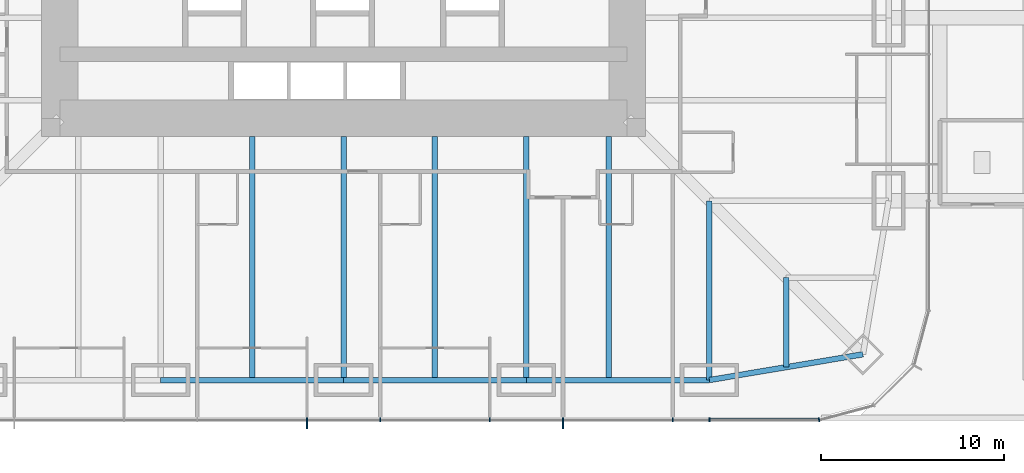
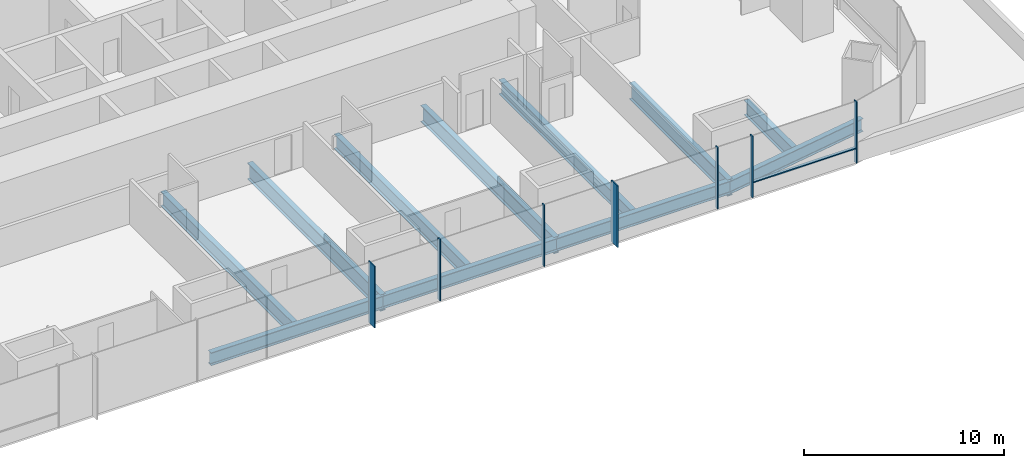
# One storey, part 4 of 20: 11 beams, 8 members, 2 elements without a shape of their own.
"""IFC4 building model written with IfcOpenShell, lengths in metres."""

from ifc_helpers import new_model, si_unit, direction, frame, origin, origin_2d, place, context, subcontext, project, spatial, rectangle, i_section, extrude, material, material_profile, profile_set, type_object, element, aggregate, save


model = new_model("IFC4")

# Units and contexts
model_context = context("Model", 3, precision=1e-05, world=origin(), true_north=direction((0.0, 1.0)))
body_context = subcontext(model_context, "Body", "Model", "MODEL_VIEW")
ifc_project = project(units=[si_unit("LENGTHUNIT", "METRE"), si_unit("AREAUNIT", "SQUARE_METRE"), si_unit("VOLUMEUNIT", "CUBIC_METRE"), si_unit("PLANEANGLEUNIT", "RADIAN"), si_unit("MASSUNIT", "GRAM", prefix="KILO")], contexts=[model_context])

# Site, building, storey
site_placement = place(None, origin())
site = spatial("IfcSite", under=ifc_project, at=site_placement, CompositionType="ELEMENT")
building_placement = place(site_placement, origin())
building = spatial("IfcBuilding", under=site, at=building_placement, Name="Khuree Lantern Residences", CompositionType="ELEMENT")
storey_placement = place(building_placement, frame((0.0, 0.0, 21.0)))
storey = spatial("IfcBuildingStorey", under=building, at=storey_placement, Name="L04", CompositionType="ELEMENT", Elevation=21.0)

# Beams
ifc_material_1 = material(Name="Steel S355", Category="steel")
ifc_material_profile_1 = material_profile(ifc_material_1, i_section(OverallWidth=0.300048828125, OverallDepth=0.889892578125, WebThickness=0.01611328125, FlangeThickness=0.030029296875, FilletRadius=0.030029296875, at=origin_2d()), Name="HE 900 A")
ifc_profile_set_1 = profile_set([ifc_material_profile_1], Name="Steel S355")
beam_type_1 = type_object("IfcBeamType", Name="B-11 SECONDARY BEAM HE 900 A", PredefinedType="BEAM", material=ifc_profile_set_1)
beam_1_placement = place(storey_placement, frame((24.197021484375, -29.09716796875, -0.695068359375), z_axis=(0.0, 1.0, 0.0), x_axis=(-1.0, 0.0, 0.0)))
element("IfcBeam", 1, at=beam_1_placement, inside=storey, type_object=beam_type_1, Name="Secondary beam S1", PredefinedType="BEAM", context=body_context, shape_type="SweptSolid", body=[
    extrude(i_section(OverallWidth=0.300048828125, OverallDepth=0.889892578125, WebThickness=0.01611328125, FlangeThickness=0.030029296875, FilletRadius=0.030029296875, at=origin_2d()), origin(), (0.0, 0.0, 1.0), 4.900146484375),
])
for number, where, z_axis, x_axis, name in (
    (2, (14.5, -29.800048828125, -0.695068359375), (0.0, 1.0, 0.0), (-1.0, 0.0, 0.0), "Secondary beam S2"),
    (3, (5.0, -29.800048828125, -0.695068359375), (0.0, 1.0, 0.0), (-1.0, 0.0, 0.0), "Secondary beam S3"),
    (4, (-5.0, -29.800048828125, -0.695068359375), (0.0, 1.0, 0.0), (-1.0, 0.0, 0.0), "Secondary beam S4"),
):
    element("IfcBeam", number, at=place(storey_placement, frame(where, z_axis=z_axis, x_axis=x_axis)), inside=storey, type_object=beam_type_1, Name=name, PredefinedType="BEAM", context=body_context, shape_type="SweptSolid", body=[
        extrude(i_section(OverallWidth=0.300048828125, OverallDepth=0.889892578125, WebThickness=0.01611328125, FlangeThickness=0.030029296875, FilletRadius=0.030029296875, at=origin_2d()), origin(), (0.0, 0.0, 1.0), 13.300048828125),
    ])
ifc_material_profile_2 = material_profile(ifc_material_1, i_section(OverallWidth=0.300048828125, OverallDepth=0.7900390625, WebThickness=0.014892578125, FlangeThickness=0.028076171875, FilletRadius=0.030029296875, at=origin_2d()), Name="HE 800 A")
ifc_profile_set_2 = profile_set([ifc_material_profile_2], Name="Steel S355")
beam_type_2 = type_object("IfcBeamType", Name="E-11 SPANDREL BEAM HE 800 A", PredefinedType="SPANDREL", material=ifc_profile_set_2)
beam_2_placement = place(storey_placement, frame((28.39404296875, -28.39404296875, -0.64501953125), z_axis=(-0.986260251158, -0.165199022349, 0.0), x_axis=(0.165199022349, -0.986260251158, 0.0)))
element("IfcBeam", 5, at=beam_2_placement, inside=storey, type_object=beam_type_2, Name="Spandrel beam S1", PredefinedType="SPANDREL", context=body_context, shape_type="SweptSolid", body=[
    extrude(i_section(OverallWidth=0.300048828125, OverallDepth=0.7900390625, WebThickness=0.014892578125, FlangeThickness=0.028076171875, FilletRadius=0.030029296875, at=origin_2d()), origin(), (0.0, 0.0, 1.0), 8.510986328125),
])
for number, where, z_axis, x_axis, name in (
    (6, (20.0, -29.800048828125, -0.64501953125), (-1.0, 0.0, 0.0), (0.0, -1.0, 0.0), "Spandrel beam S2"),
    (7, (10.0, -29.800048828125, -0.64501953125), (-1.0, 0.0, 0.0), (0.0, -1.0, 0.0), "Spandrel beam S3"),
    (8, (0.0, -29.800048828125, -0.64501953125), (-1.0, 0.0, 0.0), (0.0, -1.0, 0.0), "Spandrel beam S4"),
):
    element("IfcBeam", number, at=place(storey_placement, frame(where, z_axis=z_axis, x_axis=x_axis)), inside=storey, type_object=beam_type_2, Name=name, PredefinedType="SPANDREL", context=body_context, shape_type="SweptSolid", body=[
        extrude(i_section(OverallWidth=0.300048828125, OverallDepth=0.7900390625, WebThickness=0.014892578125, FlangeThickness=0.028076171875, FilletRadius=0.030029296875, at=origin_2d()), origin(), (0.0, 0.0, 1.0), 10.0),
    ])

# Curtain wall, members
ifc_material_2 = material(Name="Bronze anodised aluminium", Category="aluminium")
curtain_wall_type_1 = type_object("IfcCurtainWallType", Name="CW-T1 TOWER FACE CURTAIN WALL", PredefinedType="USERDEFINED", material=ifc_material_2)
curtain_wall_1_placement = place(storey_placement, origin())
curtain_wall_1 = element("IfcCurtainWall", 9, at=curtain_wall_1_placement, inside=storey, type_object=curtain_wall_type_1, Name="L04 SOUTH FACE CURTAIN WALL", ObjectType="Stick-built curtain wall", PredefinedType="USERDEFINED")
ifc_material_profile_3 = material_profile(ifc_material_2, rectangle(XDim=0.06494140625, YDim=0.60009765625, at=origin_2d()), Name="F1 65X600")
ifc_profile_set_3 = profile_set([ifc_material_profile_3], Name="Bronze anodised aluminium")
member_type_1 = type_object("IfcMemberType", Name="F1 BRONZE FIN MULLION TOWER 65X600", PredefinedType="MULLION", material=ifc_profile_set_3)
member_1_placement = place(storey_placement, frame((-2.0, -32.14990234375, 0.0), z_axis=(0.0, 0.0, 1.0), x_axis=(1.0, 0.0, 0.0)))
member_1 = element("IfcMember", 10, at=member_1_placement, type_object=member_type_1, Name="L04 SOUTH FACE FIN MULLION 51", PredefinedType="MULLION", context=body_context, shape_type="SweptSolid", body=[
    extrude(rectangle(XDim=0.06494140625, YDim=0.60009765625, at=origin_2d()), origin(), (0.0, 0.0, 1.0), 3.75),
])
member_2_placement = place(storey_placement, frame((12.0, -32.14990234375, 0.0), z_axis=(0.0, 0.0, 1.0), x_axis=(1.0, 0.0, 0.0)))
member_2 = element("IfcMember", 11, at=member_2_placement, type_object=member_type_1, Name="L04 SOUTH FACE FIN MULLION 54", PredefinedType="MULLION", context=body_context, shape_type="SweptSolid", body=[
    extrude(rectangle(XDim=0.06494140625, YDim=0.60009765625, at=origin_2d()), origin(), (0.0, 0.0, 1.0), 3.75),
])

# Beams
ifc_material_profile_4 = material_profile(ifc_material_1, i_section(OverallWidth=0.302001953125, OverallDepth=1.008056640625, WebThickness=0.02099609375, FlangeThickness=0.0400390625, FilletRadius=0.030029296875, at=origin_2d()), Name="HE 1000 M")
ifc_profile_set_4 = profile_set([ifc_material_profile_4], Name="Steel S355")
beam_type_3 = type_object("IfcBeamType", Name="G-11 GIRDER HE 1000 M", PredefinedType="BEAM", material=ifc_profile_set_4)
beam_3_placement = place(storey_placement, frame((20.0, -29.800048828125, -0.75390625), z_axis=(0.0, 1.0, 0.0), x_axis=(-1.0, 0.0, 0.0)))
element("IfcBeam", 12, at=beam_3_placement, inside=storey, type_object=beam_type_3, Name="Girder S1", PredefinedType="BEAM", context=body_context, shape_type="SweptSolid", body=[
    extrude(i_section(OverallWidth=0.302001953125, OverallDepth=1.008056640625, WebThickness=0.02099609375, FlangeThickness=0.0400390625, FilletRadius=0.030029296875, at=origin_2d()), origin(), (0.0, 0.0, 1.0), 9.800048828125),
])
for number, where, z_axis, x_axis, name in (
    (13, (10.0, -29.800048828125, -0.75390625), (0.0, 1.0, 0.0), (-1.0, 0.0, 0.0), "Girder S2"),
    (14, (0.0, -29.800048828125, -0.75390625), (0.0, 1.0, 0.0), (-1.0, 0.0, 0.0), "Girder S3"),
):
    element("IfcBeam", number, at=place(storey_placement, frame(where, z_axis=z_axis, x_axis=x_axis)), inside=storey, type_object=beam_type_3, Name=name, PredefinedType="BEAM", context=body_context, shape_type="SweptSolid", body=[
        extrude(i_section(OverallWidth=0.302001953125, OverallDepth=1.008056640625, WebThickness=0.02099609375, FlangeThickness=0.0400390625, FilletRadius=0.030029296875, at=origin_2d()), origin(), (0.0, 0.0, 1.0), 13.300048828125),
    ])

# Curtain wall, member
curtain_wall_type_2 = type_object("IfcCurtainWallType", Name="CW-T2 TOWER CORNER CURTAIN WALL", PredefinedType="USERDEFINED", material=ifc_material_2)
curtain_wall_2_placement = place(storey_placement, origin())
curtain_wall_2 = element("IfcCurtainWall", 15, at=curtain_wall_2_placement, inside=storey, type_object=curtain_wall_type_2, Name="L04 SOUTH-EAST CORNER CURTAIN WALL", ObjectType="Faceted corner curtain wall", PredefinedType="USERDEFINED")
ifc_material_profile_5 = material_profile(ifc_material_2, rectangle(XDim=0.06494140625, YDim=0.219970703125, at=origin_2d()), Name="M1 65X220")
ifc_profile_set_5 = profile_set([ifc_material_profile_5], Name="Bronze anodised aluminium")
member_type_2 = type_object("IfcMemberType", Name="M1 BRONZE MULLION TOWER 65X220", PredefinedType="MULLION", material=ifc_profile_set_5)
member_3_placement = place(storey_placement, frame((25.994873046875, -31.961669921875, 0.0), z_axis=(0.0, 0.0, 1.0), x_axis=(0.991444852794, 0.130526257387, 0.0)))
member_3 = element("IfcMember", 16, at=member_3_placement, type_object=member_type_2, Name="L04 SOUTH-EAST CORNER MULLION 1", PredefinedType="MULLION", context=body_context, shape_type="SweptSolid", body=[
    extrude(rectangle(XDim=0.06494140625, YDim=0.219970703125, at=origin_2d()), origin(), (0.0, 0.0, 1.0), 3.75),
])
aggregate(curtain_wall_2, [member_3])

# Member
member_4_placement = place(storey_placement, frame((2.0, -31.9599609375, 0.0), z_axis=(0.0, 0.0, 1.0), x_axis=(1.0, 0.0, 0.0)))
member_4 = element("IfcMember", 17, at=member_4_placement, type_object=member_type_2, Name="L04 SOUTH FACE MULLION 52", PredefinedType="MULLION", context=body_context, shape_type="SweptSolid", body=[
    extrude(rectangle(XDim=0.06494140625, YDim=0.219970703125, at=origin_2d()), origin(), (0.0, 0.0, 1.0), 3.75),
])

member_5_placement = place(storey_placement, frame((8.0, -31.9599609375, 0.0), z_axis=(0.0, 0.0, 1.0), x_axis=(1.0, 0.0, 0.0)))
member_5 = element("IfcMember", 18, at=member_5_placement, type_object=member_type_2, Name="L04 SOUTH FACE MULLION 53", PredefinedType="MULLION", context=body_context, shape_type="SweptSolid", body=[
    extrude(rectangle(XDim=0.06494140625, YDim=0.219970703125, at=origin_2d()), origin(), (0.0, 0.0, 1.0), 3.75),
])

member_6_placement = place(storey_placement, frame((18.0, -31.9599609375, 0.0), z_axis=(0.0, 0.0, 1.0), x_axis=(1.0, 0.0, 0.0)))
member_6 = element("IfcMember", 19, at=member_6_placement, type_object=member_type_2, Name="L04 SOUTH FACE MULLION 55", PredefinedType="MULLION", context=body_context, shape_type="SweptSolid", body=[
    extrude(rectangle(XDim=0.06494140625, YDim=0.219970703125, at=origin_2d()), origin(), (0.0, 0.0, 1.0), 3.75),
])

member_7_placement = place(storey_placement, frame((20.0, -31.9599609375, 0.0), z_axis=(0.0, 0.0, 1.0), x_axis=(1.0, 0.0, 0.0)))
member_7 = element("IfcMember", 20, at=member_7_placement, type_object=member_type_2, Name="L04 SOUTH FACE MULLION 56", PredefinedType="MULLION", context=body_context, shape_type="SweptSolid", body=[
    extrude(rectangle(XDim=0.06494140625, YDim=0.219970703125, at=origin_2d()), origin(), (0.0, 0.0, 1.0), 3.75),
])

ifc_material_profile_6 = material_profile(ifc_material_2, rectangle(XDim=0.179931640625, YDim=0.06494140625, at=origin_2d()), Name="T1 180X65")
ifc_profile_set_6 = profile_set([ifc_material_profile_6], Name="Bronze anodised aluminium")
member_type_3 = type_object("IfcMemberType", Name="TRANSOM T1 TOWER 180X65", PredefinedType="USERDEFINED", material=ifc_profile_set_6)
member_8_placement = place(storey_placement, frame((20.032470703125, -31.969970703125, 0.89990234375), z_axis=(1.0, 0.0, 0.0), x_axis=(0.0, 1.0, 0.0)))
member_8 = element("IfcMember", 21, at=member_8_placement, type_object=member_type_3, Name="L04 SOUTH FACE TRANSOM 56.1", ObjectType="Transom", PredefinedType="USERDEFINED", context=body_context, shape_type="SweptSolid", body=[
    extrude(rectangle(XDim=0.179931640625, YDim=0.06494140625, at=origin_2d()), origin(), (0.0, 0.0, 1.0), 5.9189453125),
])

aggregate(curtain_wall_1, [member_1, member_4, member_5, member_2, member_6, member_7, member_8])

save(model, "model.ifc")
